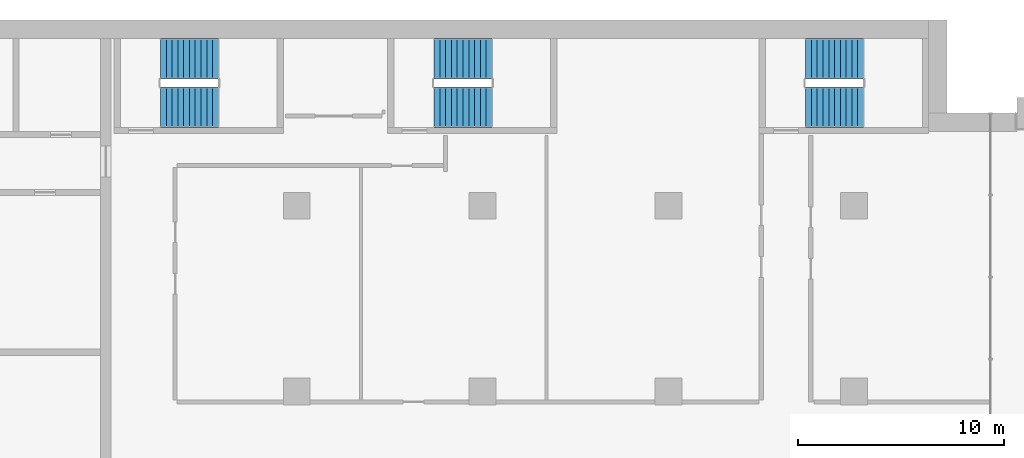
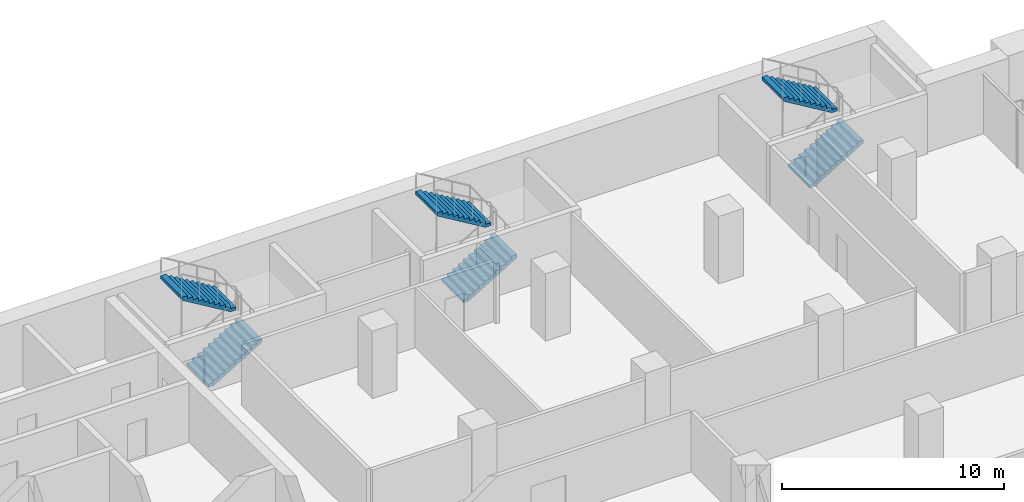
# One storey, part 18 of 23: 6 stair flights, 3 elements without a shape of their own.
"""IFC4 building model written with IfcOpenShell, lengths in metres."""

from ifc_helpers import new_model, si_unit, direction, frame, origin, place, context, subcontext, project, spatial, polyline, outline, extrude, material, type_object, element, aggregate, save


model = new_model("IFC4")

# Units and contexts
model_context = context("Model", 3, precision=1e-05, world=origin(), true_north=direction((0.0, 1.0)))
body_context = subcontext(model_context, "Body", "Model", "MODEL_VIEW")
ifc_project = project(units=[si_unit("LENGTHUNIT", "METRE"), si_unit("AREAUNIT", "SQUARE_METRE"), si_unit("VOLUMEUNIT", "CUBIC_METRE"), si_unit("PLANEANGLEUNIT", "RADIAN"), si_unit("MASSUNIT", "GRAM", prefix="KILO")], contexts=[model_context])

# Site, building, storey
site_placement = place(None, origin())
site = spatial("IfcSite", under=ifc_project, at=site_placement, CompositionType="ELEMENT")
building_placement = place(site_placement, origin())
building = spatial("IfcBuilding", under=site, at=building_placement, Name="Hunhe Ridgeline Campus", CompositionType="ELEMENT")
storey_placement = place(building_placement, frame((0.0, 0.0, 121.800048828125)))
storey = spatial("IfcBuildingStorey", under=building, at=storey_placement, Name="L30", CompositionType="ELEMENT", Elevation=121.800048828125)

# Stair, stair flights
ifc_material = material(Name="Concrete C40", Category="concrete")
stair_type = type_object("IfcStairType", Name="Reinforced concrete dog-leg stair 1950 Concrete C40", PredefinedType="HALF_TURN_STAIR", material=ifc_material)
stair_1_placement = place(storey_placement, origin())
stair_1 = element("IfcStair", 1, at=stair_1_placement, inside=storey, type_object=stair_type, Name="L30 E1", PredefinedType="HALF_TURN_STAIR")
stair_flight_type = type_object("IfcStairFlightType", Name="Reinforced concrete stair flight 1950 Concrete C40", PredefinedType="STRAIGHT", material=ifc_material)
stair_flight_1_placement = place(storey_placement, frame((38.39990234375, 94.77490234375, 0.0), z_axis=(0.0, 0.0, 1.0), x_axis=(1.0, 0.0, 0.0)))
stair_flight_1 = element("IfcStairFlight", 2, at=stair_flight_1_placement, type_object=stair_flight_type, Name="ST5 flight 1", NumberOfRisers=11, NumberOfTreads=10, PredefinedType="STRAIGHT", RiserHeight=0.168181818, TreadLength=0.28, context=body_context, shape_type="SweptSolid", body=[
    extrude(outline(polyline([(0.0, 0.0), (0.0, 0.168212890625), (0.280029296875, 0.168212890625), (0.280029296875, 0.33642578125), (0.56005859375, 0.33642578125), (0.56005859375, 0.504638671875), (0.840087890625, 0.504638671875), (0.840087890625, 0.672607421875), (1.1201171875, 0.672607421875), (1.1201171875, 0.8408203125), (1.39990234375, 0.8408203125), (1.39990234375, 1.009033203125), (1.679931640625, 1.009033203125), (1.679931640625, 1.17724609375), (1.9599609375, 1.17724609375), (1.9599609375, 1.345458984375), (2.239990234375, 1.345458984375), (2.239990234375, 1.513671875), (2.52001953125, 1.513671875), (2.52001953125, 1.681884765625), (2.800048828125, 1.681884765625), (2.800048828125, 1.85009765625), (2.800048828125, 1.5068359375), (0.291015625, 0.0), (0.0, 0.0)])), frame((0.0, 0.97509765625, 0.0), z_axis=(0.0, -1.0, 0.0), x_axis=(1.0, 0.0, 0.0)), (0.0, 0.0, 1.0), 1.949951171875),
    extrude(outline(polyline([(0.030029296875, 0.030029296875), (0.030029296875, 0.13818359375), (0.31005859375, 0.13818359375), (0.31005859375, 0.306396484375), (0.590087890625, 0.306396484375), (0.590087890625, 0.474609375), (0.8701171875, 0.474609375), (0.8701171875, 0.642578125), (1.14990234375, 0.642578125), (1.14990234375, 0.810791015625), (1.429931640625, 0.810791015625), (1.429931640625, 0.97900390625), (1.7099609375, 0.97900390625), (1.7099609375, 1.147216796875), (1.989990234375, 1.147216796875), (1.989990234375, 1.3154296875), (2.27001953125, 1.3154296875), (2.27001953125, 1.483642578125), (2.550048828125, 1.483642578125), (2.550048828125, 1.65185546875), (2.77001953125, 1.65185546875), (2.77001953125, 1.52392578125), (0.28271484375, 0.030029296875), (0.030029296875, 0.030029296875)])), frame((0.0, -0.070068359375, 0.0), z_axis=(0.0, -1.0, 0.0), x_axis=(1.0, 0.0, 0.0)), (0.0, 0.0, 1.0), 0.019775390625),
    extrude(outline(polyline([(0.030029296875, 0.030029296875), (0.030029296875, 0.13818359375), (0.31005859375, 0.13818359375), (0.31005859375, 0.306396484375), (0.590087890625, 0.306396484375), (0.590087890625, 0.474609375), (0.8701171875, 0.474609375), (0.8701171875, 0.642578125), (1.14990234375, 0.642578125), (1.14990234375, 0.810791015625), (1.429931640625, 0.810791015625), (1.429931640625, 0.97900390625), (1.7099609375, 0.97900390625), (1.7099609375, 1.147216796875), (1.989990234375, 1.147216796875), (1.989990234375, 1.3154296875), (2.27001953125, 1.3154296875), (2.27001953125, 1.483642578125), (2.550048828125, 1.483642578125), (2.550048828125, 1.65185546875), (2.77001953125, 1.65185546875), (2.77001953125, 1.52392578125), (0.28271484375, 0.030029296875), (0.030029296875, 0.030029296875)])), frame((0.0, 0.010009765625, 0.0), z_axis=(0.0, -1.0, 0.0), x_axis=(1.0, 0.0, 0.0)), (0.0, 0.0, 1.0), 0.019775390625),
    extrude(outline(polyline([(0.030029296875, 0.030029296875), (0.030029296875, 0.13818359375), (0.31005859375, 0.13818359375), (0.31005859375, 0.306396484375), (0.590087890625, 0.306396484375), (0.590087890625, 0.474609375), (0.8701171875, 0.474609375), (0.8701171875, 0.642578125), (1.14990234375, 0.642578125), (1.14990234375, 0.810791015625), (1.429931640625, 0.810791015625), (1.429931640625, 0.97900390625), (1.7099609375, 0.97900390625), (1.7099609375, 1.147216796875), (1.989990234375, 1.147216796875), (1.989990234375, 1.3154296875), (2.27001953125, 1.3154296875), (2.27001953125, 1.483642578125), (2.550048828125, 1.483642578125), (2.550048828125, 1.65185546875), (2.77001953125, 1.65185546875), (2.77001953125, 1.52392578125), (0.28271484375, 0.030029296875), (0.030029296875, 0.030029296875)])), frame((0.0, 0.090087890625, 0.0), z_axis=(0.0, -1.0, 0.0), x_axis=(1.0, 0.0, 0.0)), (0.0, 0.0, 1.0), 0.019775390625),
])
stair_flight_2_placement = place(storey_placement, frame((41.199951171875, 97.125, 1.849853515625), z_axis=(0.0, 0.0, 1.0), x_axis=(-1.0, 0.0, 0.0)))
stair_flight_2 = element("IfcStairFlight", 3, at=stair_flight_2_placement, type_object=stair_flight_type, Name="ST5 flight 2", NumberOfRisers=11, NumberOfTreads=10, PredefinedType="STRAIGHT", RiserHeight=0.168181818, TreadLength=0.28, context=body_context, shape_type="SweptSolid", body=[
    extrude(outline(polyline([(0.0, 0.0), (0.0, 0.168212890625), (0.280029296875, 0.168212890625), (0.280029296875, 0.33642578125), (0.56005859375, 0.33642578125), (0.56005859375, 0.504638671875), (0.840087890625, 0.504638671875), (0.840087890625, 0.672607421875), (1.1201171875, 0.672607421875), (1.1201171875, 0.8408203125), (1.39990234375, 0.8408203125), (1.39990234375, 1.009033203125), (1.679931640625, 1.009033203125), (1.679931640625, 1.17724609375), (1.9599609375, 1.17724609375), (1.9599609375, 1.345458984375), (2.239990234375, 1.345458984375), (2.239990234375, 1.513671875), (2.52001953125, 1.513671875), (2.52001953125, 1.681884765625), (2.800048828125, 1.681884765625), (2.800048828125, 1.85009765625), (2.800048828125, 1.5068359375), (0.291015625, 0.0), (0.0, 0.0)])), frame((0.0, 0.97509765625, 0.0), z_axis=(0.0, -1.0, 0.0), x_axis=(1.0, 0.0, 0.0)), (0.0, 0.0, 1.0), 1.949951171875),
    extrude(outline(polyline([(0.030029296875, 0.030029296875), (0.030029296875, 0.13818359375), (0.31005859375, 0.13818359375), (0.31005859375, 0.306396484375), (0.590087890625, 0.306396484375), (0.590087890625, 0.474609375), (0.8701171875, 0.474609375), (0.8701171875, 0.642578125), (1.14990234375, 0.642578125), (1.14990234375, 0.810791015625), (1.429931640625, 0.810791015625), (1.429931640625, 0.97900390625), (1.7099609375, 0.97900390625), (1.7099609375, 1.147216796875), (1.989990234375, 1.147216796875), (1.989990234375, 1.3154296875), (2.27001953125, 1.3154296875), (2.27001953125, 1.483642578125), (2.550048828125, 1.483642578125), (2.550048828125, 1.65185546875), (2.77001953125, 1.65185546875), (2.77001953125, 1.52392578125), (0.28271484375, 0.030029296875), (0.030029296875, 0.030029296875)])), frame((0.0, -0.070068359375, 0.0), z_axis=(0.0, -1.0, 0.0), x_axis=(1.0, 0.0, 0.0)), (0.0, 0.0, 1.0), 0.019775390625),
    extrude(outline(polyline([(0.030029296875, 0.030029296875), (0.030029296875, 0.13818359375), (0.31005859375, 0.13818359375), (0.31005859375, 0.306396484375), (0.590087890625, 0.306396484375), (0.590087890625, 0.474609375), (0.8701171875, 0.474609375), (0.8701171875, 0.642578125), (1.14990234375, 0.642578125), (1.14990234375, 0.810791015625), (1.429931640625, 0.810791015625), (1.429931640625, 0.97900390625), (1.7099609375, 0.97900390625), (1.7099609375, 1.147216796875), (1.989990234375, 1.147216796875), (1.989990234375, 1.3154296875), (2.27001953125, 1.3154296875), (2.27001953125, 1.483642578125), (2.550048828125, 1.483642578125), (2.550048828125, 1.65185546875), (2.77001953125, 1.65185546875), (2.77001953125, 1.52392578125), (0.28271484375, 0.030029296875), (0.030029296875, 0.030029296875)])), frame((0.0, 0.010009765625, 0.0), z_axis=(0.0, -1.0, 0.0), x_axis=(1.0, 0.0, 0.0)), (0.0, 0.0, 1.0), 0.019775390625),
    extrude(outline(polyline([(0.030029296875, 0.030029296875), (0.030029296875, 0.13818359375), (0.31005859375, 0.13818359375), (0.31005859375, 0.306396484375), (0.590087890625, 0.306396484375), (0.590087890625, 0.474609375), (0.8701171875, 0.474609375), (0.8701171875, 0.642578125), (1.14990234375, 0.642578125), (1.14990234375, 0.810791015625), (1.429931640625, 0.810791015625), (1.429931640625, 0.97900390625), (1.7099609375, 0.97900390625), (1.7099609375, 1.147216796875), (1.989990234375, 1.147216796875), (1.989990234375, 1.3154296875), (2.27001953125, 1.3154296875), (2.27001953125, 1.483642578125), (2.550048828125, 1.483642578125), (2.550048828125, 1.65185546875), (2.77001953125, 1.65185546875), (2.77001953125, 1.52392578125), (0.28271484375, 0.030029296875), (0.030029296875, 0.030029296875)])), frame((0.0, 0.090087890625, 0.0), z_axis=(0.0, -1.0, 0.0), x_axis=(1.0, 0.0, 0.0)), (0.0, 0.0, 1.0), 0.019775390625),
])
aggregate(stair_1, [stair_flight_1, stair_flight_2])

stair_2_placement = place(storey_placement, origin())
stair_2 = element("IfcStair", 4, at=stair_2_placement, inside=storey, type_object=stair_type, Name="L30 E2", PredefinedType="HALF_TURN_STAIR")
stair_flight_3_placement = place(storey_placement, frame((51.64990234375, 94.77490234375, 0.0), z_axis=(0.0, 0.0, 1.0), x_axis=(1.0, 0.0, 0.0)))
stair_flight_3 = element("IfcStairFlight", 5, at=stair_flight_3_placement, type_object=stair_flight_type, Name="ST6 flight 1", NumberOfRisers=11, NumberOfTreads=10, PredefinedType="STRAIGHT", RiserHeight=0.168181818, TreadLength=0.28, context=body_context, shape_type="SweptSolid", body=[
    extrude(outline(polyline([(0.0, 0.0), (0.0, 0.168212890625), (0.280029296875, 0.168212890625), (0.280029296875, 0.33642578125), (0.56005859375, 0.33642578125), (0.56005859375, 0.504638671875), (0.840087890625, 0.504638671875), (0.840087890625, 0.672607421875), (1.1201171875, 0.672607421875), (1.1201171875, 0.8408203125), (1.39990234375, 0.8408203125), (1.39990234375, 1.009033203125), (1.679931640625, 1.009033203125), (1.679931640625, 1.17724609375), (1.9599609375, 1.17724609375), (1.9599609375, 1.345458984375), (2.239990234375, 1.345458984375), (2.239990234375, 1.513671875), (2.52001953125, 1.513671875), (2.52001953125, 1.681884765625), (2.800048828125, 1.681884765625), (2.800048828125, 1.85009765625), (2.800048828125, 1.5068359375), (0.291015625, 0.0), (0.0, 0.0)])), frame((0.0, 0.97509765625, 0.0), z_axis=(0.0, -1.0, 0.0), x_axis=(1.0, 0.0, 0.0)), (0.0, 0.0, 1.0), 1.949951171875),
    extrude(outline(polyline([(0.030029296875, 0.030029296875), (0.030029296875, 0.13818359375), (0.31005859375, 0.13818359375), (0.31005859375, 0.306396484375), (0.590087890625, 0.306396484375), (0.590087890625, 0.474609375), (0.8701171875, 0.474609375), (0.8701171875, 0.642578125), (1.14990234375, 0.642578125), (1.14990234375, 0.810791015625), (1.429931640625, 0.810791015625), (1.429931640625, 0.97900390625), (1.7099609375, 0.97900390625), (1.7099609375, 1.147216796875), (1.989990234375, 1.147216796875), (1.989990234375, 1.3154296875), (2.27001953125, 1.3154296875), (2.27001953125, 1.483642578125), (2.550048828125, 1.483642578125), (2.550048828125, 1.65185546875), (2.77001953125, 1.65185546875), (2.77001953125, 1.52392578125), (0.28271484375, 0.030029296875), (0.030029296875, 0.030029296875)])), frame((0.0, -0.070068359375, 0.0), z_axis=(0.0, -1.0, 0.0), x_axis=(1.0, 0.0, 0.0)), (0.0, 0.0, 1.0), 0.019775390625),
    extrude(outline(polyline([(0.030029296875, 0.030029296875), (0.030029296875, 0.13818359375), (0.31005859375, 0.13818359375), (0.31005859375, 0.306396484375), (0.590087890625, 0.306396484375), (0.590087890625, 0.474609375), (0.8701171875, 0.474609375), (0.8701171875, 0.642578125), (1.14990234375, 0.642578125), (1.14990234375, 0.810791015625), (1.429931640625, 0.810791015625), (1.429931640625, 0.97900390625), (1.7099609375, 0.97900390625), (1.7099609375, 1.147216796875), (1.989990234375, 1.147216796875), (1.989990234375, 1.3154296875), (2.27001953125, 1.3154296875), (2.27001953125, 1.483642578125), (2.550048828125, 1.483642578125), (2.550048828125, 1.65185546875), (2.77001953125, 1.65185546875), (2.77001953125, 1.52392578125), (0.28271484375, 0.030029296875), (0.030029296875, 0.030029296875)])), frame((0.0, 0.010009765625, 0.0), z_axis=(0.0, -1.0, 0.0), x_axis=(1.0, 0.0, 0.0)), (0.0, 0.0, 1.0), 0.019775390625),
    extrude(outline(polyline([(0.030029296875, 0.030029296875), (0.030029296875, 0.13818359375), (0.31005859375, 0.13818359375), (0.31005859375, 0.306396484375), (0.590087890625, 0.306396484375), (0.590087890625, 0.474609375), (0.8701171875, 0.474609375), (0.8701171875, 0.642578125), (1.14990234375, 0.642578125), (1.14990234375, 0.810791015625), (1.429931640625, 0.810791015625), (1.429931640625, 0.97900390625), (1.7099609375, 0.97900390625), (1.7099609375, 1.147216796875), (1.989990234375, 1.147216796875), (1.989990234375, 1.3154296875), (2.27001953125, 1.3154296875), (2.27001953125, 1.483642578125), (2.550048828125, 1.483642578125), (2.550048828125, 1.65185546875), (2.77001953125, 1.65185546875), (2.77001953125, 1.52392578125), (0.28271484375, 0.030029296875), (0.030029296875, 0.030029296875)])), frame((0.0, 0.090087890625, 0.0), z_axis=(0.0, -1.0, 0.0), x_axis=(1.0, 0.0, 0.0)), (0.0, 0.0, 1.0), 0.019775390625),
])
stair_flight_4_placement = place(storey_placement, frame((54.449951171875, 97.125, 1.849853515625), z_axis=(0.0, 0.0, 1.0), x_axis=(-1.0, 0.0, 0.0)))
stair_flight_4 = element("IfcStairFlight", 6, at=stair_flight_4_placement, type_object=stair_flight_type, Name="ST6 flight 2", NumberOfRisers=11, NumberOfTreads=10, PredefinedType="STRAIGHT", RiserHeight=0.168181818, TreadLength=0.28, context=body_context, shape_type="SweptSolid", body=[
    extrude(outline(polyline([(0.0, 0.0), (0.0, 0.168212890625), (0.280029296875, 0.168212890625), (0.280029296875, 0.33642578125), (0.56005859375, 0.33642578125), (0.56005859375, 0.504638671875), (0.840087890625, 0.504638671875), (0.840087890625, 0.672607421875), (1.1201171875, 0.672607421875), (1.1201171875, 0.8408203125), (1.39990234375, 0.8408203125), (1.39990234375, 1.009033203125), (1.679931640625, 1.009033203125), (1.679931640625, 1.17724609375), (1.9599609375, 1.17724609375), (1.9599609375, 1.345458984375), (2.239990234375, 1.345458984375), (2.239990234375, 1.513671875), (2.52001953125, 1.513671875), (2.52001953125, 1.681884765625), (2.800048828125, 1.681884765625), (2.800048828125, 1.85009765625), (2.800048828125, 1.5068359375), (0.291015625, 0.0), (0.0, 0.0)])), frame((0.0, 0.97509765625, 0.0), z_axis=(0.0, -1.0, 0.0), x_axis=(1.0, 0.0, 0.0)), (0.0, 0.0, 1.0), 1.949951171875),
    extrude(outline(polyline([(0.030029296875, 0.030029296875), (0.030029296875, 0.13818359375), (0.31005859375, 0.13818359375), (0.31005859375, 0.306396484375), (0.590087890625, 0.306396484375), (0.590087890625, 0.474609375), (0.8701171875, 0.474609375), (0.8701171875, 0.642578125), (1.14990234375, 0.642578125), (1.14990234375, 0.810791015625), (1.429931640625, 0.810791015625), (1.429931640625, 0.97900390625), (1.7099609375, 0.97900390625), (1.7099609375, 1.147216796875), (1.989990234375, 1.147216796875), (1.989990234375, 1.3154296875), (2.27001953125, 1.3154296875), (2.27001953125, 1.483642578125), (2.550048828125, 1.483642578125), (2.550048828125, 1.65185546875), (2.77001953125, 1.65185546875), (2.77001953125, 1.52392578125), (0.28271484375, 0.030029296875), (0.030029296875, 0.030029296875)])), frame((0.0, -0.070068359375, 0.0), z_axis=(0.0, -1.0, 0.0), x_axis=(1.0, 0.0, 0.0)), (0.0, 0.0, 1.0), 0.019775390625),
    extrude(outline(polyline([(0.030029296875, 0.030029296875), (0.030029296875, 0.13818359375), (0.31005859375, 0.13818359375), (0.31005859375, 0.306396484375), (0.590087890625, 0.306396484375), (0.590087890625, 0.474609375), (0.8701171875, 0.474609375), (0.8701171875, 0.642578125), (1.14990234375, 0.642578125), (1.14990234375, 0.810791015625), (1.429931640625, 0.810791015625), (1.429931640625, 0.97900390625), (1.7099609375, 0.97900390625), (1.7099609375, 1.147216796875), (1.989990234375, 1.147216796875), (1.989990234375, 1.3154296875), (2.27001953125, 1.3154296875), (2.27001953125, 1.483642578125), (2.550048828125, 1.483642578125), (2.550048828125, 1.65185546875), (2.77001953125, 1.65185546875), (2.77001953125, 1.52392578125), (0.28271484375, 0.030029296875), (0.030029296875, 0.030029296875)])), frame((0.0, 0.010009765625, 0.0), z_axis=(0.0, -1.0, 0.0), x_axis=(1.0, 0.0, 0.0)), (0.0, 0.0, 1.0), 0.019775390625),
    extrude(outline(polyline([(0.030029296875, 0.030029296875), (0.030029296875, 0.13818359375), (0.31005859375, 0.13818359375), (0.31005859375, 0.306396484375), (0.590087890625, 0.306396484375), (0.590087890625, 0.474609375), (0.8701171875, 0.474609375), (0.8701171875, 0.642578125), (1.14990234375, 0.642578125), (1.14990234375, 0.810791015625), (1.429931640625, 0.810791015625), (1.429931640625, 0.97900390625), (1.7099609375, 0.97900390625), (1.7099609375, 1.147216796875), (1.989990234375, 1.147216796875), (1.989990234375, 1.3154296875), (2.27001953125, 1.3154296875), (2.27001953125, 1.483642578125), (2.550048828125, 1.483642578125), (2.550048828125, 1.65185546875), (2.77001953125, 1.65185546875), (2.77001953125, 1.52392578125), (0.28271484375, 0.030029296875), (0.030029296875, 0.030029296875)])), frame((0.0, 0.090087890625, 0.0), z_axis=(0.0, -1.0, 0.0), x_axis=(1.0, 0.0, 0.0)), (0.0, 0.0, 1.0), 0.019775390625),
])
aggregate(stair_2, [stair_flight_3, stair_flight_4])

stair_3_placement = place(storey_placement, origin())
stair_3 = element("IfcStair", 7, at=stair_3_placement, inside=storey, type_object=stair_type, Name="L30 E3", PredefinedType="HALF_TURN_STAIR")
stair_flight_5_placement = place(storey_placement, frame((69.64990234375, 94.77490234375, 0.0), z_axis=(0.0, 0.0, 1.0), x_axis=(1.0, 0.0, 0.0)))
stair_flight_5 = element("IfcStairFlight", 8, at=stair_flight_5_placement, type_object=stair_flight_type, Name="ST7 flight 1", NumberOfRisers=11, NumberOfTreads=10, PredefinedType="STRAIGHT", RiserHeight=0.168181818, TreadLength=0.28, context=body_context, shape_type="SweptSolid", body=[
    extrude(outline(polyline([(0.0, 0.0), (0.0, 0.168212890625), (0.280029296875, 0.168212890625), (0.280029296875, 0.33642578125), (0.56005859375, 0.33642578125), (0.56005859375, 0.504638671875), (0.840087890625, 0.504638671875), (0.840087890625, 0.672607421875), (1.1201171875, 0.672607421875), (1.1201171875, 0.8408203125), (1.39990234375, 0.8408203125), (1.39990234375, 1.009033203125), (1.679931640625, 1.009033203125), (1.679931640625, 1.17724609375), (1.9599609375, 1.17724609375), (1.9599609375, 1.345458984375), (2.239990234375, 1.345458984375), (2.239990234375, 1.513671875), (2.52001953125, 1.513671875), (2.52001953125, 1.681884765625), (2.800048828125, 1.681884765625), (2.800048828125, 1.85009765625), (2.800048828125, 1.5068359375), (0.291015625, 0.0), (0.0, 0.0)])), frame((0.0, 0.97509765625, 0.0), z_axis=(0.0, -1.0, 0.0), x_axis=(1.0, 0.0, 0.0)), (0.0, 0.0, 1.0), 1.949951171875),
    extrude(outline(polyline([(0.030029296875, 0.030029296875), (0.030029296875, 0.13818359375), (0.31005859375, 0.13818359375), (0.31005859375, 0.306396484375), (0.590087890625, 0.306396484375), (0.590087890625, 0.474609375), (0.8701171875, 0.474609375), (0.8701171875, 0.642578125), (1.14990234375, 0.642578125), (1.14990234375, 0.810791015625), (1.429931640625, 0.810791015625), (1.429931640625, 0.97900390625), (1.7099609375, 0.97900390625), (1.7099609375, 1.147216796875), (1.989990234375, 1.147216796875), (1.989990234375, 1.3154296875), (2.27001953125, 1.3154296875), (2.27001953125, 1.483642578125), (2.550048828125, 1.483642578125), (2.550048828125, 1.65185546875), (2.77001953125, 1.65185546875), (2.77001953125, 1.52392578125), (0.28271484375, 0.030029296875), (0.030029296875, 0.030029296875)])), frame((0.0, -0.070068359375, 0.0), z_axis=(0.0, -1.0, 0.0), x_axis=(1.0, 0.0, 0.0)), (0.0, 0.0, 1.0), 0.019775390625),
    extrude(outline(polyline([(0.030029296875, 0.030029296875), (0.030029296875, 0.13818359375), (0.31005859375, 0.13818359375), (0.31005859375, 0.306396484375), (0.590087890625, 0.306396484375), (0.590087890625, 0.474609375), (0.8701171875, 0.474609375), (0.8701171875, 0.642578125), (1.14990234375, 0.642578125), (1.14990234375, 0.810791015625), (1.429931640625, 0.810791015625), (1.429931640625, 0.97900390625), (1.7099609375, 0.97900390625), (1.7099609375, 1.147216796875), (1.989990234375, 1.147216796875), (1.989990234375, 1.3154296875), (2.27001953125, 1.3154296875), (2.27001953125, 1.483642578125), (2.550048828125, 1.483642578125), (2.550048828125, 1.65185546875), (2.77001953125, 1.65185546875), (2.77001953125, 1.52392578125), (0.28271484375, 0.030029296875), (0.030029296875, 0.030029296875)])), frame((0.0, 0.010009765625, 0.0), z_axis=(0.0, -1.0, 0.0), x_axis=(1.0, 0.0, 0.0)), (0.0, 0.0, 1.0), 0.019775390625),
    extrude(outline(polyline([(0.030029296875, 0.030029296875), (0.030029296875, 0.13818359375), (0.31005859375, 0.13818359375), (0.31005859375, 0.306396484375), (0.590087890625, 0.306396484375), (0.590087890625, 0.474609375), (0.8701171875, 0.474609375), (0.8701171875, 0.642578125), (1.14990234375, 0.642578125), (1.14990234375, 0.810791015625), (1.429931640625, 0.810791015625), (1.429931640625, 0.97900390625), (1.7099609375, 0.97900390625), (1.7099609375, 1.147216796875), (1.989990234375, 1.147216796875), (1.989990234375, 1.3154296875), (2.27001953125, 1.3154296875), (2.27001953125, 1.483642578125), (2.550048828125, 1.483642578125), (2.550048828125, 1.65185546875), (2.77001953125, 1.65185546875), (2.77001953125, 1.52392578125), (0.28271484375, 0.030029296875), (0.030029296875, 0.030029296875)])), frame((0.0, 0.090087890625, 0.0), z_axis=(0.0, -1.0, 0.0), x_axis=(1.0, 0.0, 0.0)), (0.0, 0.0, 1.0), 0.019775390625),
])
stair_flight_6_placement = place(storey_placement, frame((72.449951171875, 97.125, 1.849853515625), z_axis=(0.0, 0.0, 1.0), x_axis=(-1.0, 0.0, 0.0)))
stair_flight_6 = element("IfcStairFlight", 9, at=stair_flight_6_placement, type_object=stair_flight_type, Name="ST7 flight 2", NumberOfRisers=11, NumberOfTreads=10, PredefinedType="STRAIGHT", RiserHeight=0.168181818, TreadLength=0.28, context=body_context, shape_type="SweptSolid", body=[
    extrude(outline(polyline([(0.0, 0.0), (0.0, 0.168212890625), (0.280029296875, 0.168212890625), (0.280029296875, 0.33642578125), (0.56005859375, 0.33642578125), (0.56005859375, 0.504638671875), (0.840087890625, 0.504638671875), (0.840087890625, 0.672607421875), (1.1201171875, 0.672607421875), (1.1201171875, 0.8408203125), (1.39990234375, 0.8408203125), (1.39990234375, 1.009033203125), (1.679931640625, 1.009033203125), (1.679931640625, 1.17724609375), (1.9599609375, 1.17724609375), (1.9599609375, 1.345458984375), (2.239990234375, 1.345458984375), (2.239990234375, 1.513671875), (2.52001953125, 1.513671875), (2.52001953125, 1.681884765625), (2.800048828125, 1.681884765625), (2.800048828125, 1.85009765625), (2.800048828125, 1.5068359375), (0.291015625, 0.0), (0.0, 0.0)])), frame((0.0, 0.97509765625, 0.0), z_axis=(0.0, -1.0, 0.0), x_axis=(1.0, 0.0, 0.0)), (0.0, 0.0, 1.0), 1.949951171875),
    extrude(outline(polyline([(0.030029296875, 0.030029296875), (0.030029296875, 0.13818359375), (0.31005859375, 0.13818359375), (0.31005859375, 0.306396484375), (0.590087890625, 0.306396484375), (0.590087890625, 0.474609375), (0.8701171875, 0.474609375), (0.8701171875, 0.642578125), (1.14990234375, 0.642578125), (1.14990234375, 0.810791015625), (1.429931640625, 0.810791015625), (1.429931640625, 0.97900390625), (1.7099609375, 0.97900390625), (1.7099609375, 1.147216796875), (1.989990234375, 1.147216796875), (1.989990234375, 1.3154296875), (2.27001953125, 1.3154296875), (2.27001953125, 1.483642578125), (2.550048828125, 1.483642578125), (2.550048828125, 1.65185546875), (2.77001953125, 1.65185546875), (2.77001953125, 1.52392578125), (0.28271484375, 0.030029296875), (0.030029296875, 0.030029296875)])), frame((0.0, -0.070068359375, 0.0), z_axis=(0.0, -1.0, 0.0), x_axis=(1.0, 0.0, 0.0)), (0.0, 0.0, 1.0), 0.019775390625),
    extrude(outline(polyline([(0.030029296875, 0.030029296875), (0.030029296875, 0.13818359375), (0.31005859375, 0.13818359375), (0.31005859375, 0.306396484375), (0.590087890625, 0.306396484375), (0.590087890625, 0.474609375), (0.8701171875, 0.474609375), (0.8701171875, 0.642578125), (1.14990234375, 0.642578125), (1.14990234375, 0.810791015625), (1.429931640625, 0.810791015625), (1.429931640625, 0.97900390625), (1.7099609375, 0.97900390625), (1.7099609375, 1.147216796875), (1.989990234375, 1.147216796875), (1.989990234375, 1.3154296875), (2.27001953125, 1.3154296875), (2.27001953125, 1.483642578125), (2.550048828125, 1.483642578125), (2.550048828125, 1.65185546875), (2.77001953125, 1.65185546875), (2.77001953125, 1.52392578125), (0.28271484375, 0.030029296875), (0.030029296875, 0.030029296875)])), frame((0.0, 0.010009765625, 0.0), z_axis=(0.0, -1.0, 0.0), x_axis=(1.0, 0.0, 0.0)), (0.0, 0.0, 1.0), 0.019775390625),
    extrude(outline(polyline([(0.030029296875, 0.030029296875), (0.030029296875, 0.13818359375), (0.31005859375, 0.13818359375), (0.31005859375, 0.306396484375), (0.590087890625, 0.306396484375), (0.590087890625, 0.474609375), (0.8701171875, 0.474609375), (0.8701171875, 0.642578125), (1.14990234375, 0.642578125), (1.14990234375, 0.810791015625), (1.429931640625, 0.810791015625), (1.429931640625, 0.97900390625), (1.7099609375, 0.97900390625), (1.7099609375, 1.147216796875), (1.989990234375, 1.147216796875), (1.989990234375, 1.3154296875), (2.27001953125, 1.3154296875), (2.27001953125, 1.483642578125), (2.550048828125, 1.483642578125), (2.550048828125, 1.65185546875), (2.77001953125, 1.65185546875), (2.77001953125, 1.52392578125), (0.28271484375, 0.030029296875), (0.030029296875, 0.030029296875)])), frame((0.0, 0.090087890625, 0.0), z_axis=(0.0, -1.0, 0.0), x_axis=(1.0, 0.0, 0.0)), (0.0, 0.0, 1.0), 0.019775390625),
])
aggregate(stair_3, [stair_flight_5, stair_flight_6])

save(model, "model.ifc")
